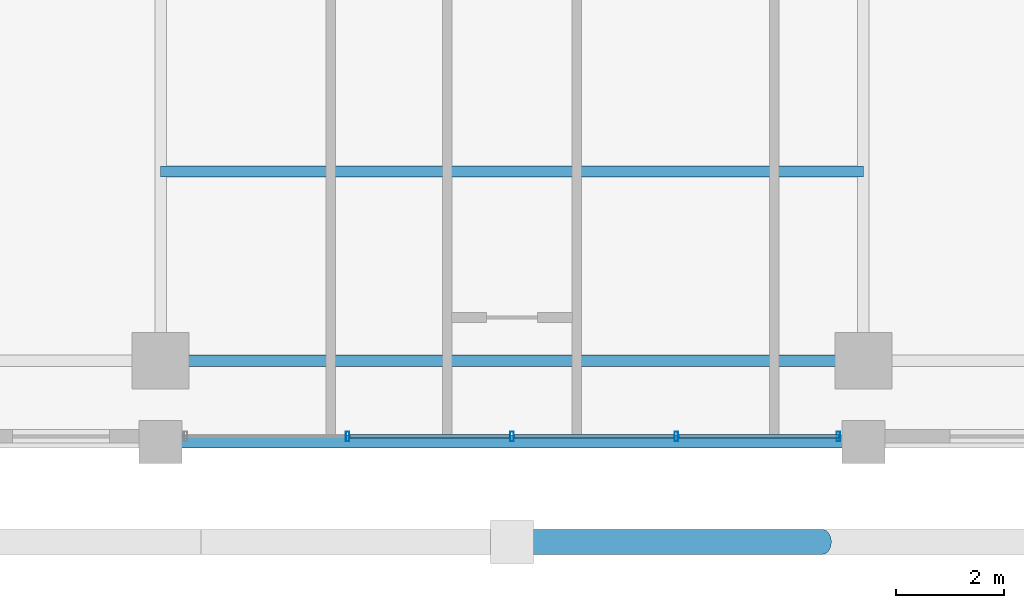
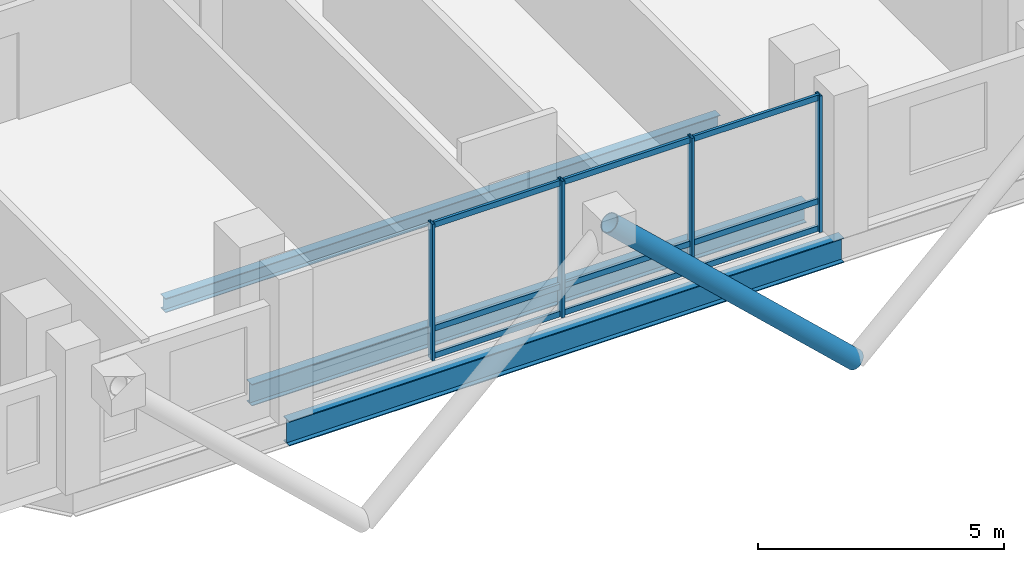
# One storey, part 4 of 23: 14 members, 3 beams, 1 element without a shape of its own.
"""IFC4 building model written with IfcOpenShell, lengths in metres."""

from ifc_helpers import new_model, si_unit, direction, frame, origin, origin_2d, place, context, subcontext, project, spatial, hollow_rectangle, hollow_circle, i_section, extrude, material, layer, layer_set, material_profile, profile_set, type_object, element, aggregate, save


model = new_model("IFC4")

# Units and contexts
model_context = context("Model", 3, precision=1e-05, world=origin(), true_north=direction((0.0, 1.0)))
body_context = subcontext(model_context, "Body", "Model", "MODEL_VIEW")
ifc_project = project(units=[si_unit("LENGTHUNIT", "METRE"), si_unit("AREAUNIT", "SQUARE_METRE"), si_unit("VOLUMEUNIT", "CUBIC_METRE"), si_unit("PLANEANGLEUNIT", "RADIAN"), si_unit("MASSUNIT", "GRAM", prefix="KILO")], contexts=[model_context])

# Site, building, storey
site_placement = place(None, origin())
site = spatial("IfcSite", under=ifc_project, at=site_placement, CompositionType="ELEMENT")
building_placement = place(site_placement, origin())
building = spatial("IfcBuilding", under=site, at=building_placement, Name="Barlavira Tower and Art Museum", CompositionType="ELEMENT")
storey_placement = place(building_placement, frame((0.0, 0.0, 205.199951171875)))
storey = spatial("IfcBuildingStorey", under=building, at=storey_placement, Name="L53", CompositionType="ELEMENT", Elevation=205.199951171875)

# Curtain wall, members
ifc_material_1 = material(Name="Low-iron coastal laminated glass", Category="glass")
ifc_layer = layer(ifc_material_1, 0.199951171875, Name="Low-iron coastal laminated glass")
ifc_layer_set = layer_set([ifc_layer], Name="Low-iron coastal laminated glass")
curtain_wall_type = type_object("IfcCurtainWallType", Name="Pale-Metal Unitised Curtain Wall Zone 3", PredefinedType="NOTDEFINED", material=ifc_layer_set)
curtain_wall_placement = place(storey_placement, origin())
curtain_wall = element("IfcCurtainWall", 1, at=curtain_wall_placement, inside=storey, type_object=curtain_wall_type, Name="L53 Curtain Wall CW3-L53-S-B3", PredefinedType="NOTDEFINED")
ifc_material_2 = material(Name="Pale anodised aluminium", Category="aluminium")
ifc_material_profile_1 = material_profile(ifc_material_2, hollow_rectangle(XDim=0.06494140625, YDim=0.179931640625, WallThickness=0.00390625, at=origin_2d()), Name="ALU-MULL 65x180x4")
ifc_profile_set_1 = profile_set([ifc_material_profile_1], Name="Pale anodised aluminium")
member_type_1 = type_object("IfcMemberType", Name="Curtain Wall Pale-Metal Mullion 65x180", PredefinedType="MULLION", material=ifc_profile_set_1)
member_1_placement = place(storey_placement, frame((-3.0400390625, -21.39990234375, 0.0), z_axis=(0.0, 0.0, 1.0), x_axis=(1.0, 0.0, 0.0)))
member_1 = element("IfcMember", 2, at=member_1_placement, type_object=member_type_1, Name="CW3-L53-S-B3 Mullion 1", PredefinedType="MULLION", context=body_context, shape_type="SweptSolid", body=[
    extrude(hollow_rectangle(XDim=0.06494140625, YDim=0.179931640625, WallThickness=0.00390625, at=origin_2d()), origin(), (0.0, 0.0, 1.0), 3.380126953125),
])
member_2_placement = place(storey_placement, frame((0.0, -21.39990234375, 0.0), z_axis=(0.0, 0.0, 1.0), x_axis=(1.0, 0.0, 0.0)))
member_2 = element("IfcMember", 3, at=member_2_placement, type_object=member_type_1, Name="CW3-L53-S-B3 Mullion 2", PredefinedType="MULLION", context=body_context, shape_type="SweptSolid", body=[
    extrude(hollow_rectangle(XDim=0.06494140625, YDim=0.179931640625, WallThickness=0.00390625, at=origin_2d()), origin(), (0.0, 0.0, 1.0), 3.380126953125),
])
member_3_placement = place(storey_placement, frame((3.0400390625, -21.39990234375, 0.0), z_axis=(0.0, 0.0, 1.0), x_axis=(1.0, 0.0, 0.0)))
member_3 = element("IfcMember", 4, at=member_3_placement, type_object=member_type_1, Name="CW3-L53-S-B3 Mullion 3", PredefinedType="MULLION", context=body_context, shape_type="SweptSolid", body=[
    extrude(hollow_rectangle(XDim=0.06494140625, YDim=0.179931640625, WallThickness=0.00390625, at=origin_2d()), origin(), (0.0, 0.0, 1.0), 3.380126953125),
])
member_4_placement = place(storey_placement, frame((6.034912109375, -21.39990234375, 0.0), z_axis=(0.0, 0.0, 1.0), x_axis=(1.0, 0.0, 0.0)))
member_4 = element("IfcMember", 5, at=member_4_placement, type_object=member_type_1, Name="CW3-L53-S-B3 Mullion 4", PredefinedType="MULLION", context=body_context, shape_type="SweptSolid", body=[
    extrude(hollow_rectangle(XDim=0.06494140625, YDim=0.179931640625, WallThickness=0.00390625, at=origin_2d()), origin(), (0.0, 0.0, 1.0), 3.380126953125),
])
ifc_material_profile_2 = material_profile(ifc_material_2, hollow_rectangle(XDim=0.06494140625, YDim=0.139892578125, WallThickness=0.00390625, at=origin_2d()), Name="ALU-TRAN 65x140x4")
ifc_profile_set_2 = profile_set([ifc_material_profile_2], Name="Pale anodised aluminium")
member_type_2 = type_object("IfcMemberType", Name="Curtain Wall Pale-Metal Transom 65x140", PredefinedType="USERDEFINED", material=ifc_profile_set_2)
member_5_placement = place(storey_placement, frame((-2.9951171875, -21.39990234375, 0.070068359375), z_axis=(1.0, 0.0, 0.0), x_axis=(0.0, 1.0, 0.0)))
member_5 = element("IfcMember", 6, at=member_5_placement, type_object=member_type_2, Name="CW3-L53-S-B3 Transom 1.1", ObjectType="TRANSOM", PredefinedType="USERDEFINED", context=body_context, shape_type="SweptSolid", body=[
    extrude(hollow_rectangle(XDim=0.06494140625, YDim=0.139892578125, WallThickness=0.00390625, at=origin_2d()), origin(), (0.0, 0.0, 1.0), 2.9501953125),
])
member_6_placement = place(storey_placement, frame((-2.9951171875, -21.39990234375, 0.744140625), z_axis=(1.0, 0.0, 0.0), x_axis=(0.0, 1.0, 0.0)))
member_6 = element("IfcMember", 7, at=member_6_placement, type_object=member_type_2, Name="CW3-L53-S-B3 Transom 1.2", ObjectType="TRANSOM", PredefinedType="USERDEFINED", context=body_context, shape_type="SweptSolid", body=[
    extrude(hollow_rectangle(XDim=0.06494140625, YDim=0.139892578125, WallThickness=0.00390625, at=origin_2d()), origin(), (0.0, 0.0, 1.0), 2.9501953125),
])
member_7_placement = place(storey_placement, frame((-2.9951171875, -21.39990234375, 3.31005859375), z_axis=(1.0, 0.0, 0.0), x_axis=(0.0, 1.0, 0.0)))
member_7 = element("IfcMember", 8, at=member_7_placement, type_object=member_type_2, Name="CW3-L53-S-B3 Transom 1.3", ObjectType="TRANSOM", PredefinedType="USERDEFINED", context=body_context, shape_type="SweptSolid", body=[
    extrude(hollow_rectangle(XDim=0.06494140625, YDim=0.139892578125, WallThickness=0.00390625, at=origin_2d()), origin(), (0.0, 0.0, 1.0), 2.9501953125),
])
member_8_placement = place(storey_placement, frame((0.044921875, -21.39990234375, 0.070068359375), z_axis=(1.0, 0.0, 0.0), x_axis=(0.0, 1.0, 0.0)))
member_8 = element("IfcMember", 9, at=member_8_placement, type_object=member_type_2, Name="CW3-L53-S-B3 Transom 2.1", ObjectType="TRANSOM", PredefinedType="USERDEFINED", context=body_context, shape_type="SweptSolid", body=[
    extrude(hollow_rectangle(XDim=0.06494140625, YDim=0.139892578125, WallThickness=0.00390625, at=origin_2d()), origin(), (0.0, 0.0, 1.0), 2.9501953125),
])
member_9_placement = place(storey_placement, frame((0.044921875, -21.39990234375, 0.744140625), z_axis=(1.0, 0.0, 0.0), x_axis=(0.0, 1.0, 0.0)))
member_9 = element("IfcMember", 10, at=member_9_placement, type_object=member_type_2, Name="CW3-L53-S-B3 Transom 2.2", ObjectType="TRANSOM", PredefinedType="USERDEFINED", context=body_context, shape_type="SweptSolid", body=[
    extrude(hollow_rectangle(XDim=0.06494140625, YDim=0.139892578125, WallThickness=0.00390625, at=origin_2d()), origin(), (0.0, 0.0, 1.0), 2.9501953125),
])
member_10_placement = place(storey_placement, frame((0.044921875, -21.39990234375, 3.31005859375), z_axis=(1.0, 0.0, 0.0), x_axis=(0.0, 1.0, 0.0)))
member_10 = element("IfcMember", 11, at=member_10_placement, type_object=member_type_2, Name="CW3-L53-S-B3 Transom 2.3", ObjectType="TRANSOM", PredefinedType="USERDEFINED", context=body_context, shape_type="SweptSolid", body=[
    extrude(hollow_rectangle(XDim=0.06494140625, YDim=0.139892578125, WallThickness=0.00390625, at=origin_2d()), origin(), (0.0, 0.0, 1.0), 2.9501953125),
])
member_11_placement = place(storey_placement, frame((3.0849609375, -21.39990234375, 0.070068359375), z_axis=(1.0, 0.0, 0.0), x_axis=(0.0, 1.0, 0.0)))
member_11 = element("IfcMember", 12, at=member_11_placement, type_object=member_type_2, Name="CW3-L53-S-B3 Transom 3.1", ObjectType="TRANSOM", PredefinedType="USERDEFINED", context=body_context, shape_type="SweptSolid", body=[
    extrude(hollow_rectangle(XDim=0.06494140625, YDim=0.139892578125, WallThickness=0.00390625, at=origin_2d()), origin(), (0.0, 0.0, 1.0), 2.949951171875),
])
member_12_placement = place(storey_placement, frame((3.0849609375, -21.39990234375, 0.744140625), z_axis=(1.0, 0.0, 0.0), x_axis=(0.0, 1.0, 0.0)))
member_12 = element("IfcMember", 13, at=member_12_placement, type_object=member_type_2, Name="CW3-L53-S-B3 Transom 3.2", ObjectType="TRANSOM", PredefinedType="USERDEFINED", context=body_context, shape_type="SweptSolid", body=[
    extrude(hollow_rectangle(XDim=0.06494140625, YDim=0.139892578125, WallThickness=0.00390625, at=origin_2d()), origin(), (0.0, 0.0, 1.0), 2.949951171875),
])
member_13_placement = place(storey_placement, frame((3.0849609375, -21.39990234375, 3.31005859375), z_axis=(1.0, 0.0, 0.0), x_axis=(0.0, 1.0, 0.0)))
member_13 = element("IfcMember", 14, at=member_13_placement, type_object=member_type_2, Name="CW3-L53-S-B3 Transom 3.3", ObjectType="TRANSOM", PredefinedType="USERDEFINED", context=body_context, shape_type="SweptSolid", body=[
    extrude(hollow_rectangle(XDim=0.06494140625, YDim=0.139892578125, WallThickness=0.00390625, at=origin_2d()), origin(), (0.0, 0.0, 1.0), 2.949951171875),
])
aggregate(curtain_wall, [member_1, member_2, member_3, member_4, member_5, member_6, member_7, member_8, member_9, member_10, member_11, member_12, member_13])

# Member
ifc_material_3 = material(Name="Steel S355", Category="steel")
ifc_material_profile_3 = material_profile(ifc_material_3, hollow_circle(Radius=0.228515625, WallThickness=0.02001953125, at=origin_2d()), Name="CHS 457.0x20.0")
ifc_profile_set_3 = profile_set([ifc_material_profile_3], Name="Steel S355")
member_type_3 = type_object("IfcMemberType", Name="Pale-Metal Exoskeleton Diagrid Tube CHS 457x20 Steel S355", PredefinedType="BRACE", material=ifc_profile_set_3)
member_14_placement = place(storey_placement, frame((5.75, -23.35009765625, -1.919921875), z_axis=(-0.728950095515, 0.0, 0.684566839869), x_axis=(0.0, -1.0, 0.0)))
element("IfcMember", 15, at=member_14_placement, inside=storey, type_object=member_type_3, Name="L53 Exoskeleton Diagrid Tube S", PredefinedType="BRACE", context=body_context, shape_type="SweptSolid", body=[
    extrude(hollow_circle(Radius=0.228515625, WallThickness=0.02001953125, at=origin_2d()), origin(), (0.0, 0.0, 1.0), 7.887939453125),
])

# Beams
ifc_material_profile_4 = material_profile(ifc_material_3, i_section(OverallWidth=0.22998046875, OverallDepth=0.616943359375, WebThickness=0.01318359375, FlangeThickness=0.022216796875, at=origin_2d()), Name="W610x140.0")
ifc_profile_set_4 = profile_set([ifc_material_profile_4], Name="Steel S355")
beam_type_1 = type_object("IfcBeamType", Name="Upper Shaft Spandrel Edge Beam W610x140 Steel S355", PredefinedType="SPANDREL", material=ifc_profile_set_4)
beam_1_placement = place(storey_placement, frame((-6.5, -21.5, -0.528564453125), z_axis=(1.0, 0.0, 0.0), x_axis=(0.0, 1.0, 0.0)))
element("IfcBeam", 16, at=beam_1_placement, inside=storey, type_object=beam_type_1, Name="L53 Spandrel 2", PredefinedType="SPANDREL", context=body_context, shape_type="SweptSolid", body=[
    extrude(i_section(OverallWidth=0.22998046875, OverallDepth=0.616943359375, WebThickness=0.01318359375, FlangeThickness=0.022216796875, at=origin_2d()), origin(), (0.0, 0.0, 1.0), 13.0),
])
ifc_material_profile_5 = material_profile(ifc_material_3, i_section(OverallWidth=0.205078125, OverallDepth=0.35400390625, WebThickness=0.009521484375, FlangeThickness=0.016845703125, at=origin_2d()), Name="W360x79.0")
ifc_profile_set_5 = profile_set([ifc_material_profile_5], Name="Steel S355")
beam_type_2 = type_object("IfcBeamType", Name="Zone 3 Composite Floor Joist W360x79 Steel S355", PredefinedType="JOIST", material=ifc_profile_set_5)
beam_2_placement = place(storey_placement, frame((-6.5, -16.5, -0.39697265625), z_axis=(1.0, 0.0, 0.0), x_axis=(0.0, 1.0, 0.0)))
element("IfcBeam", 17, at=beam_2_placement, inside=storey, type_object=beam_type_2, Name="L53 Joist C1", PredefinedType="JOIST", context=body_context, shape_type="SweptSolid", body=[
    extrude(i_section(OverallWidth=0.205078125, OverallDepth=0.35400390625, WebThickness=0.009521484375, FlangeThickness=0.016845703125, at=origin_2d()), origin(), (0.0, 0.0, 1.0), 13.0),
])
ifc_material_profile_6 = material_profile(ifc_material_3, i_section(OverallWidth=0.2109375, OverallDepth=0.5390625, WebThickness=0.01171875, FlangeThickness=0.018798828125, at=origin_2d()), Name="W530x109.0")
ifc_profile_set_6 = profile_set([ifc_material_profile_6], Name="Steel S355")
beam_type_3 = type_object("IfcBeamType", Name="Zone 3-4 Primary Floor Girder W530x109 Steel S355", PredefinedType="BEAM", material=ifc_profile_set_6)
beam_3_placement = place(storey_placement, frame((-6.5, -20.0, -0.489501953125), z_axis=(1.0, 0.0, 0.0), x_axis=(0.0, 1.0, 0.0)))
element("IfcBeam", 18, at=beam_3_placement, inside=storey, type_object=beam_type_3, Name="L53 Girder M-S2", PredefinedType="BEAM", context=body_context, shape_type="SweptSolid", body=[
    extrude(i_section(OverallWidth=0.2109375, OverallDepth=0.5390625, WebThickness=0.01171875, FlangeThickness=0.018798828125, at=origin_2d()), origin(), (0.0, 0.0, 1.0), 13.0),
])

save(model, "model.ifc")
